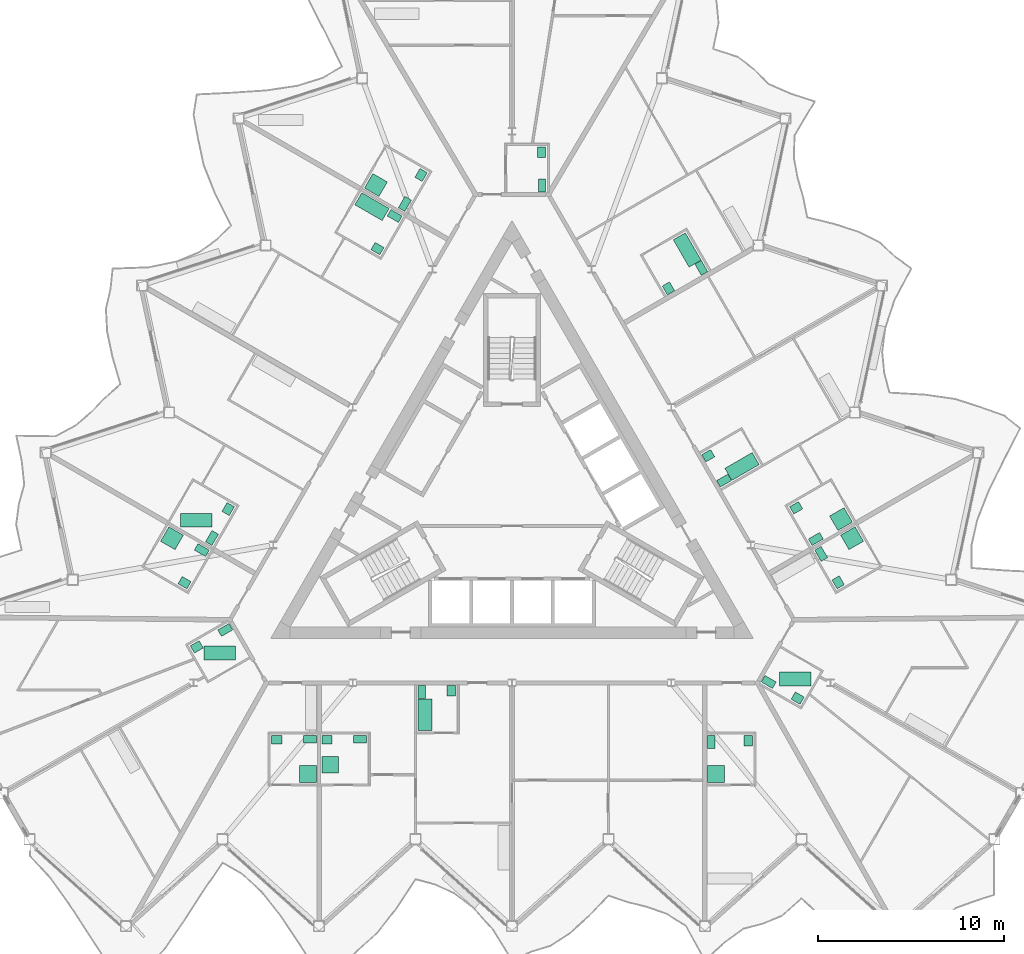
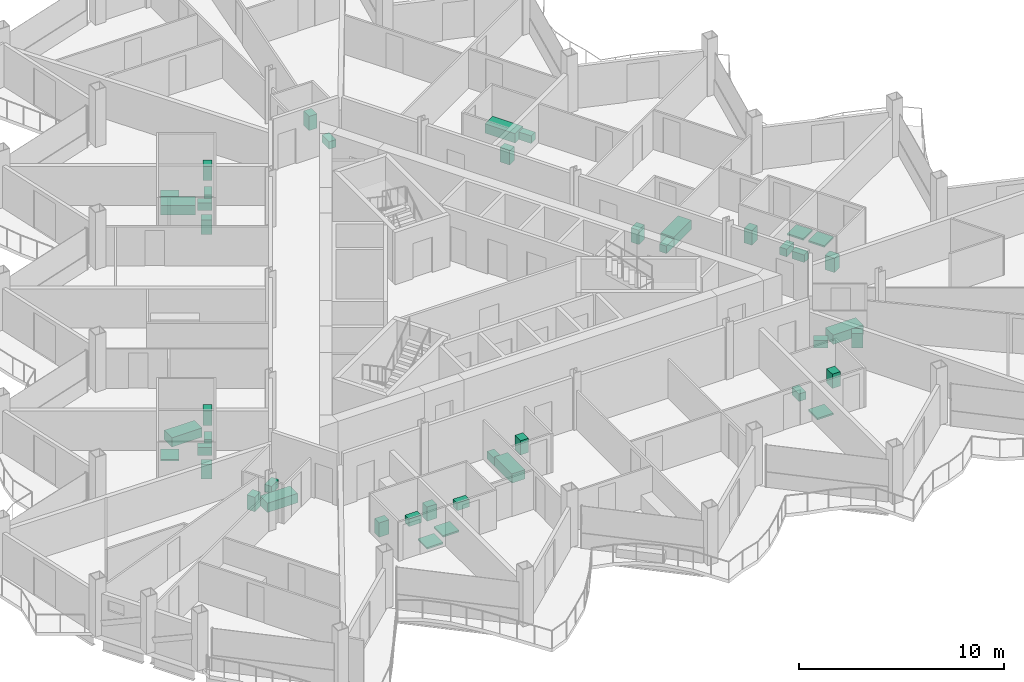
# One storey, part 26 of 27: 44 sanitary terminals.
"""IFC4 building model written with IfcOpenShell, lengths in metres."""

from ifc_helpers import new_model, si_unit, direction, frame, origin, origin_2d, place, context, subcontext, project, spatial, rectangle, extrude, material, type_object, element, save


model = new_model("IFC4")

# Units and contexts
model_context = context("Model", 3, precision=1e-05, world=origin(), true_north=direction((0.0, 1.0)))
body_context = subcontext(model_context, "Body", "Model", "MODEL_VIEW")
ifc_project = project(units=[si_unit("LENGTHUNIT", "METRE"), si_unit("AREAUNIT", "SQUARE_METRE"), si_unit("VOLUMEUNIT", "CUBIC_METRE"), si_unit("PLANEANGLEUNIT", "RADIAN"), si_unit("MASSUNIT", "GRAM", prefix="KILO")], contexts=[model_context])

# Site, building, storey
site_placement = place(None, origin())
site = spatial("IfcSite", under=ifc_project, at=site_placement, CompositionType="ELEMENT")
building_placement = place(site_placement, origin())
building = spatial("IfcBuilding", under=site, at=building_placement, Name="Cormorant Prow Tower", CompositionType="ELEMENT")
storey_placement = place(building_placement, frame((0.0, 0.0, 332.39990234375)))
storey = spatial("IfcBuildingStorey", under=building, at=storey_placement, Name="L74", CompositionType="ELEMENT", Elevation=332.39990234375)

# Sanitary terminals
ifc_material_1 = material(Name="Vitreous china")
sanitary_terminal_type_1 = type_object("IfcSanitaryTerminalType", Name="Bath 1700x750", PredefinedType="BATH", material=ifc_material_1)
for number, where, z_axis, x_axis, name in (
    (1, (-4.67626953125, -11.610595703125, 0.0), (0.0, 0.0, 1.0), (0.0, 1.0, 0.0), "Bath"),
    (2, (15.2607421875, -9.70068359375, 0.0), (0.0, 0.0, 1.0), (1.0, 0.0, 0.0), "Bath"),
    (3, (12.393310546875, 1.755615234375, 0.0), (0.0, 0.0, 1.0), (-0.866025403784, -0.5, 0.0), "Bath"),
    (4, (9.440673828125, 13.41943359375, 0.0), (0.0, 0.0, 1.0), (0.5, -0.866025403784, 0.0), "Bath"),
    (5, (-7.543701171875, 15.755126953125, 0.0), (0.0, 0.0, 1.0), (0.866025403784, -0.5, 0.0), "Bath"),
    (6, (-17.008056640625, -1.142578125, 0.0), (0.0, 0.0, 1.0), (1.0, 0.0, 0.0), "Bath"),
    (7, (-15.75244140625, -8.29248046875, 0.0), (0.0, 0.0, 1.0), (1.0, 0.0, 0.0), "Bath"),
):
    element("IfcSanitaryTerminal", number, at=place(storey_placement, frame(where, z_axis=z_axis, x_axis=x_axis)), inside=storey, type_object=sanitary_terminal_type_1, Name=name, PredefinedType="BATH", context=body_context, shape_type="SweptSolid", body=[
        extrude(rectangle(XDim=1.699951171875, YDim=0.75, at=origin_2d()), origin(), (0.0, 0.0, 1.0), 0.550048828125),
    ])
ifc_material_2 = material(Name="Vitreous china")
sanitary_terminal_type_2 = type_object("IfcSanitaryTerminalType", Name="Shower tray 900x900", PredefinedType="SHOWER", material=ifc_material_2)
for number, where, z_axis, x_axis, name in (
    (8, (-10.987548828125, -14.810546875, 0.0), (0.0, 0.0, 1.0), (-1.0, 0.0, 0.0), "Shower tray"),
    (9, (-9.797607421875, -14.310546875, 0.0), (0.0, 0.0, 1.0), (1.0, 0.0, 0.0), "Shower tray"),
    (10, (10.987548828125, -14.810546875, 0.0), (0.0, 0.0, 1.0), (0.0, 1.0, 0.0), "Shower tray"),
    (11, (18.320068359375, -2.110107421875, 0.0), (0.0, 0.0, 1.0), (0.5, -0.866025403784, 0.0), "Shower tray"),
    (12, (17.72509765625, -1.07958984375, 0.0), (0.0, 0.0, 1.0), (-0.866025403784, -0.5, 0.0), "Shower tray"),
    (13, (-7.33251953125, 16.9208984375, 0.0), (0.0, 0.0, 1.0), (0.5, 0.866025403784, 0.0), "Shower tray"),
    (14, (-18.320068359375, -2.110107421875, 0.0), (0.0, 0.0, 1.0), (0.866025403784, -0.5, 0.0), "Shower tray"),
):
    element("IfcSanitaryTerminal", number, at=place(storey_placement, frame(where, z_axis=z_axis, x_axis=x_axis)), inside=storey, type_object=sanitary_terminal_type_2, Name=name, PredefinedType="SHOWER", context=body_context, shape_type="SweptSolid", body=[
        extrude(rectangle(XDim=0.89990234375, YDim=0.89990234375, at=origin_2d()), origin(), (0.0, 0.0, 1.0), 0.10009765625),
    ])
ifc_material_3 = material(Name="Vitreous china")
sanitary_terminal_type_3 = type_object("IfcSanitaryTerminalType", Name="Wash basin 550x450", PredefinedType="WASHHANDBASIN", material=ifc_material_3)
for number, where, z_axis, x_axis, name in (
    (15, (-12.672607421875, -12.9755859375, 0.0), (0.0, 0.0, 1.0), (1.0, 0.0, 0.0), "Wash basin"),
    (16, (-3.266357421875, -10.32568359375, 0.0), (0.0, 0.0, 1.0), (0.0, -1.0, 0.0), "Wash basin"),
    (17, (-9.972412109375, -12.9755859375, 0.0), (0.0, 0.0, 1.0), (1.0, 0.0, 0.0), "Wash basin"),
    (18, (12.722412109375, -13.025634765625, 0.0), (0.0, 0.0, 1.0), (0.0, -1.0, 0.0), "Wash basin"),
    (19, (15.390380859375, -10.72509765625, 0.0), (0.0, 0.0, 1.0), (-0.866025403784, 0.5, 0.0), "Wash basin"),
    (20, (17.573486328125, -4.487060546875, 0.0), (0.0, 0.0, 1.0), (-0.5, 0.866025403784, 0.0), "Wash basin"),
    (21, (10.5751953125, 2.333984375, 0.0), (0.0, 0.0, 1.0), (0.866025403784, 0.5, 0.0), "Wash basin"),
    (22, (15.311767578125, -0.469482421875, 0.0), (0.0, 0.0, 1.0), (0.866025403784, 0.5, 0.0), "Wash basin"),
    (23, (8.428955078125, 11.3515625, 0.0), (0.0, 0.0, 1.0), (-0.5, 0.866025403784, 0.0), "Wash basin"),
    (24, (1.593017578125, 18.691162109375, 0.0), (0.0, 0.0, 1.0), (0.0, -1.0, 0.0), "Wash basin"),
    (25, (-4.90087890625, 17.46240234375, 0.0), (0.0, 0.0, 1.0), (-0.5, -0.866025403784, 0.0), "Wash basin"),
    (26, (-7.249267578125, 13.4951171875, 0.0), (0.0, 0.0, 1.0), (-0.866025403784, 0.5, 0.0), "Wash basin"),
    (27, (-15.29345703125, -0.537841796875, 0.0), (0.0, 0.0, 1.0), (-0.5, -0.866025403784, 0.0), "Wash basin"),
    (28, (-17.6416015625, -4.50537109375, 0.0), (0.0, 0.0, 1.0), (-0.866025403784, 0.5, 0.0), "Wash basin"),
    (29, (-16.9833984375, -7.9658203125, 0.0), (0.0, 0.0, 1.0), (0.866025403784, 0.5, 0.0), "Wash basin"),
):
    element("IfcSanitaryTerminal", number, at=place(storey_placement, frame(where, z_axis=z_axis, x_axis=x_axis)), inside=storey, type_object=sanitary_terminal_type_3, Name=name, PredefinedType="WASHHANDBASIN", context=body_context, shape_type="SweptSolid", body=[
        extrude(rectangle(XDim=0.550048828125, YDim=0.449951171875, at=origin_2d()), origin(), (0.0, 0.0, 1.0), 0.85009765625),
    ])
ifc_material_4 = material(Name="Vitreous china")
sanitary_terminal_type_4 = type_object("IfcSanitaryTerminalType", Name="Water closet 400x700", PredefinedType="WCSEAT", material=ifc_material_4)
for number, where, z_axis, x_axis, name in (
    (30, (-10.887451171875, -12.95068359375, 0.0), (0.0, 0.0, 1.0), (0.0, -1.0, 0.0), "Water closet"),
    (31, (-4.851318359375, -10.400634765625, 0.0), (0.0, 0.0, 1.0), (1.0, 0.0, 0.0), "Water closet"),
    (32, (-8.1875, -12.95068359375, 0.0), (0.0, 0.0, 1.0), (0.0, -1.0, 0.0), "Water closet"),
    (33, (10.737548828125, -13.1005859375, 0.0), (0.0, 0.0, 1.0), (1.0, 0.0, 0.0), "Water closet"),
    (34, (13.83203125, -9.854248046875, 0.0), (0.0, 0.0, 1.0), (0.5, 0.866025403784, 0.0), "Water closet"),
    (35, (16.6591796875, -2.95361328125, 0.0), (0.0, 0.0, 1.0), (0.866025403784, 0.5, 0.0), "Water closet"),
    (36, (11.432861328125, 0.9990234375, 0.0), (0.0, 0.0, 1.0), (-0.5, 0.866025403784, 0.0), "Water closet"),
    (37, (16.369140625, -2.151123046875, 0.0), (0.0, 0.0, 1.0), (-0.5, 0.866025403784, 0.0), "Water closet"),
    (38, (10.197265625, 12.458984375, 0.0), (0.0, 0.0, 1.0), (-0.866025403784, -0.5, 0.0), "Water closet"),
    (39, (1.617919921875, 16.906005859375, 0.0), (0.0, 0.0, 1.0), (-1.0, 0.0, 0.0), "Water closet"),
    (40, (-5.771728515625, 15.904296875, 0.0), (0.0, 0.0, 1.0), (-0.866025403784, 0.5, 0.0), "Water closet"),
    (41, (-6.321533203125, 15.251708984375, 0.0), (0.0, 0.0, 1.0), (-0.5, -0.866025403784, 0.0), "Water closet"),
    (42, (-16.164306640625, -2.09619140625, 0.0), (0.0, 0.0, 1.0), (-0.866025403784, 0.5, 0.0), "Water closet"),
    (43, (-16.714111328125, -2.748779296875, 0.0), (0.0, 0.0, 1.0), (-0.5, -0.866025403784, 0.0), "Water closet"),
    (44, (-15.4501953125, -7.0517578125, 0.0), (0.0, 0.0, 1.0), (0.5, -0.866025403784, 0.0), "Water closet"),
):
    element("IfcSanitaryTerminal", number, at=place(storey_placement, frame(where, z_axis=z_axis, x_axis=x_axis)), inside=storey, type_object=sanitary_terminal_type_4, Name=name, PredefinedType="WCSEAT", context=body_context, shape_type="SweptSolid", body=[
        extrude(rectangle(XDim=0.39990234375, YDim=0.699951171875, at=origin_2d()), origin(), (0.0, 0.0, 1.0), 0.449951171875),
    ])

save(model, "model.ifc")
